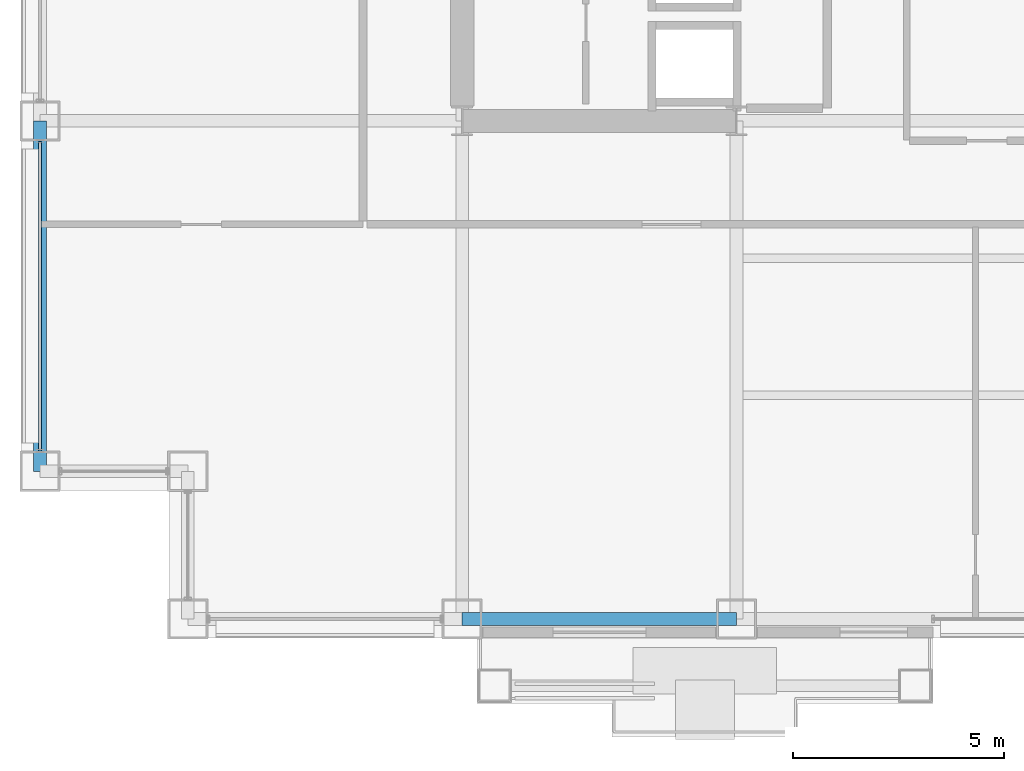
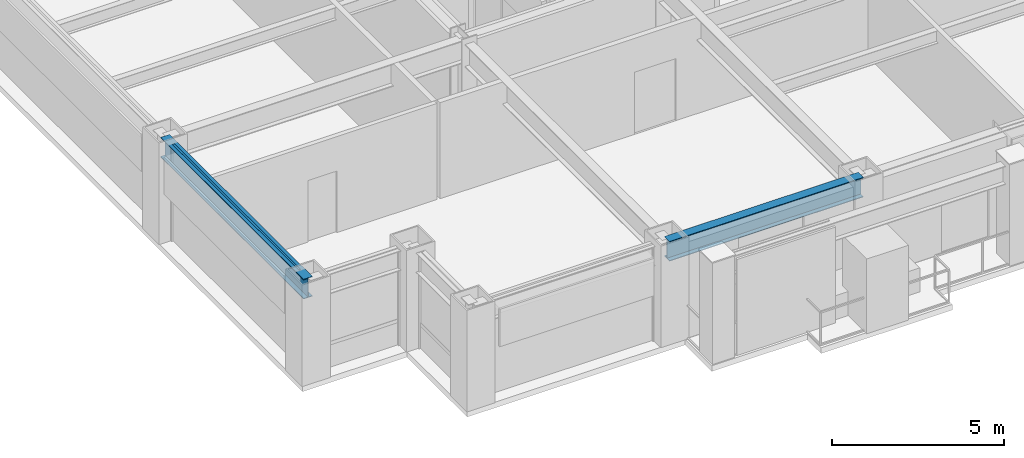
# One storey, part 3 of 31: 2 beams, 1 member, 1 element without a shape of its own.
"""IFC4 building model written with IfcOpenShell, lengths in metres."""

from ifc_helpers import new_model, si_unit, direction, frame, origin, origin_2d, place, context, subcontext, project, spatial, hollow_rectangle, i_section, extrude, material, layer, layer_set, material_profile, profile_set, type_object, element, aggregate, save


model = new_model("IFC4")

# Units and contexts
model_context = context("Model", 3, precision=1e-05, world=origin(), true_north=direction((0.0, 1.0)))
body_context = subcontext(model_context, "Body", "Model", "MODEL_VIEW")
ifc_project = project(units=[si_unit("LENGTHUNIT", "METRE"), si_unit("AREAUNIT", "SQUARE_METRE"), si_unit("VOLUMEUNIT", "CUBIC_METRE"), si_unit("PLANEANGLEUNIT", "RADIAN"), si_unit("MASSUNIT", "GRAM", prefix="KILO")], contexts=[model_context])

# Site, building, storey
site_placement = place(None, origin())
site = spatial("IfcSite", under=ifc_project, at=site_placement, CompositionType="ELEMENT")
building_placement = place(site_placement, origin())
building = spatial("IfcBuilding", under=site, at=building_placement, Name="Brelmoor Portico Tower", CompositionType="ELEMENT")
storey_placement = place(building_placement, frame((0.0, 0.0, 27.60009765625)))
storey = spatial("IfcBuildingStorey", under=building, at=storey_placement, Name="L06", CompositionType="ELEMENT", Elevation=27.60009765625)

# Beams
ifc_material_1 = material(Name="Steel Q355B", Category="steel")
ifc_material_profile_1 = material_profile(ifc_material_1, i_section(OverallWidth=0.300048828125, OverallDepth=0.699951171875, WebThickness=0.012939453125, FlangeThickness=0.02392578125, at=origin_2d()), Name="HN 700x300x13x24")
ifc_profile_set_1 = profile_set([ifc_material_profile_1], Name="Steel Q355B")
beam_type = type_object("IfcBeamType", Name="BM-SP-700", PredefinedType="SPANDREL", material=ifc_profile_set_1)
beam_1_placement = place(storey_placement, frame((-14.550048828125, -21.550048828125, 3.0498046875), z_axis=(1.0, 0.0, 0.0), x_axis=(0.0, 1.0, 0.0)))
element("IfcBeam", 1, at=beam_1_placement, inside=storey, type_object=beam_type, Name="L06 Perimeter Spandrel Beam SP-02", PredefinedType="SPANDREL", context=body_context, shape_type="SweptSolid", body=[
    extrude(i_section(OverallWidth=0.300048828125, OverallDepth=0.699951171875, WebThickness=0.012939453125, FlangeThickness=0.02392578125, at=origin_2d()), origin(), (0.0, 0.0, 1.0), 6.5),
])
beam_2_placement = place(storey_placement, frame((-24.550048828125, -18.050048828125, 3.0498046875), z_axis=(0.0, 1.0, 0.0), x_axis=(-1.0, 0.0, 0.0)))
element("IfcBeam", 2, at=beam_2_placement, inside=storey, type_object=beam_type, Name="L06 Perimeter Spandrel Beam SP-15", PredefinedType="SPANDREL", context=body_context, shape_type="SweptSolid", body=[
    extrude(i_section(OverallWidth=0.300048828125, OverallDepth=0.699951171875, WebThickness=0.012939453125, FlangeThickness=0.02392578125, at=origin_2d()), origin(), (0.0, 0.0, 1.0), 8.300048828125),
])

# Curtain wall, member
ifc_material_2 = material(Name="Anodised Aluminium Alloy 6063-T6", Category="aluminium")
ifc_layer = layer(ifc_material_2, 0.179931640625)
ifc_layer_set = layer_set([ifc_layer], Name="Anodised Aluminium Alloy 6063-T6")
curtain_wall_type = type_object("IfcCurtainWallType", Name="CW-TOWER-Z1-XB", PredefinedType="NOTDEFINED", material=ifc_layer_set)
curtain_wall_placement = place(storey_placement, origin())
curtain_wall = element("IfcCurtainWall", 3, at=curtain_wall_placement, inside=storey, type_object=curtain_wall_type, Name="L06 Curtain Wall CW-L06-03-1", PredefinedType="NOTDEFINED")
ifc_material_profile_2 = material_profile(ifc_material_2, hollow_rectangle(XDim=0.06494140625, YDim=0.139892578125, WallThickness=0.00390625, at=origin_2d()), Name="ALU TRANSOM 65x140")
ifc_profile_set_2 = profile_set([ifc_material_profile_2], Name="Anodised Aluminium Alloy 6063-T6")
member_type = type_object("IfcMemberType", Name="MB-CW-TRAN-140", PredefinedType="USERDEFINED", material=ifc_profile_set_2)
member_placement = place(storey_placement, frame((-24.550048828125, -17.56494140625, 3.329833984375), z_axis=(0.0, 1.0, 0.0), x_axis=(-1.0, 0.0, 0.0)))
member = element("IfcMember", 4, at=member_placement, type_object=member_type, Name="CW-L06-03-1 Transom 1-00", ObjectType="TRANSOM", PredefinedType="USERDEFINED", context=body_context, shape_type="SweptSolid", body=[
    extrude(hollow_rectangle(XDim=0.06494140625, YDim=0.139892578125, WallThickness=0.00390625, at=origin_2d()), origin(), (0.0, 0.0, 1.0), 7.329833984375),
])
aggregate(curtain_wall, [member])

save(model, "model.ifc")
